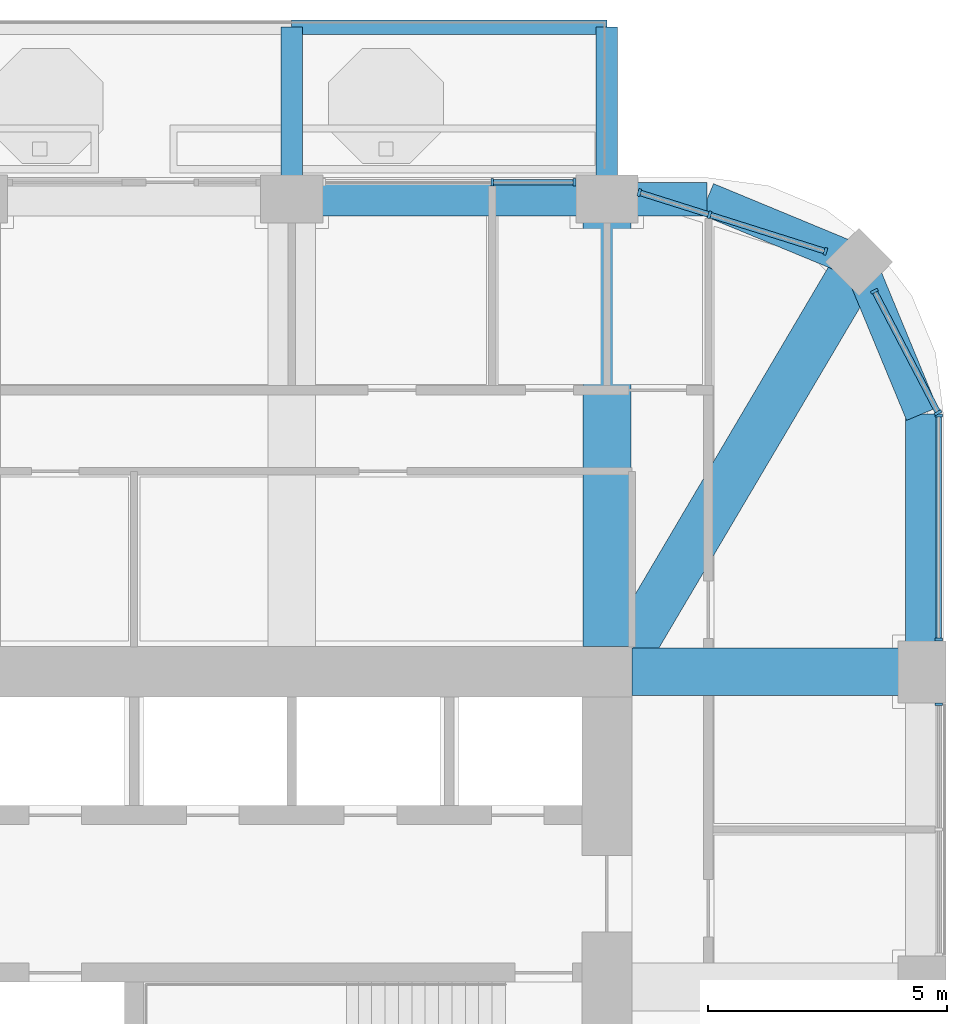
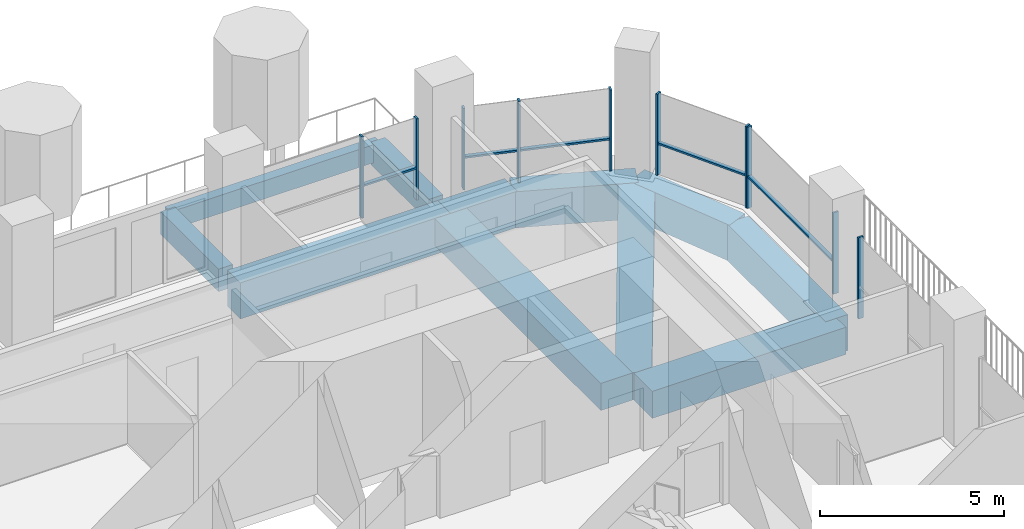
# One storey, part 7 of 21: 15 members, 11 beams, 5 elements without a shape of their own.
"""IFC4 building model written with IfcOpenShell, lengths in metres."""

from ifc_helpers import new_model, si_unit, direction, frame, origin, origin_2d, place, context, subcontext, project, spatial, rectangle, extrude, material, material_profile, profile_set, type_object, element, aggregate, save


model = new_model("IFC4")

# Units and contexts
model_context = context("Model", 3, precision=1e-05, world=origin(), true_north=direction((0.0, 1.0)))
body_context = subcontext(model_context, "Body", "Model", "MODEL_VIEW")
ifc_project = project(units=[si_unit("LENGTHUNIT", "METRE"), si_unit("AREAUNIT", "SQUARE_METRE"), si_unit("VOLUMEUNIT", "CUBIC_METRE"), si_unit("PLANEANGLEUNIT", "RADIAN"), si_unit("MASSUNIT", "GRAM", prefix="KILO")], contexts=[model_context])

# Site, building, storey
site_placement = place(None, origin())
site = spatial("IfcSite", under=ifc_project, at=site_placement, CompositionType="ELEMENT")
building_placement = place(site_placement, origin())
building = spatial("IfcBuilding", under=site, at=building_placement, Name="Cobogo Forest Laboratory Tower", CompositionType="ELEMENT")
storey_placement = place(building_placement, frame((0.0, 0.0, 250.199951171875)))
storey = spatial("IfcBuildingStorey", under=building, at=storey_placement, Name="L57", CompositionType="ELEMENT", Elevation=250.199951171875)

# Beams
ifc_material_1 = material(Name="Concrete HA-40 (C40/50)", Category="concrete")
ifc_material_profile_1 = material_profile(ifc_material_1, rectangle(XDim=0.449951171875, YDim=0.75, at=origin_2d()), Name="RC 450x750")
ifc_profile_set_1 = profile_set([ifc_material_profile_1], Name="Concrete HA-40 (C40/50)")
beam_type_1 = type_object("IfcBeamType", Name="Balcony cantilever beam 450x750", PredefinedType="BEAM", material=ifc_profile_set_1)
for number, where, z_axis, x_axis, name in (
    (1, (33.0, 43.35009765625, -0.625), (0.0, 1.0, 0.0), (-1.0, 0.0, 0.0), "CB1 BAL-N1-C2 L57"),
    (2, (39.60009765625, 43.35009765625, -0.625), (0.0, 1.0, 0.0), (-1.0, 0.0, 0.0), "CB1 BAL-N1-C3 L57"),
):
    element("IfcBeam", number, at=place(storey_placement, frame(where, z_axis=z_axis, x_axis=x_axis)), inside=storey, type_object=beam_type_1, Name=name, PredefinedType="BEAM", context=body_context, shape_type="SweptSolid", body=[
        extrude(rectangle(XDim=0.449951171875, YDim=0.75, at=origin_2d()), origin(), (0.0, 0.0, 1.0), 3.14990234375),
    ])
ifc_material_profile_2 = material_profile(ifc_material_1, rectangle(XDim=0.300048828125, YDim=0.60009765625, at=origin_2d()), Name="RC 300x600")
ifc_profile_set_2 = profile_set([ifc_material_profile_2], Name="Concrete HA-40 (C40/50)")
beam_type_2 = type_object("IfcBeamType", Name="Balcony edge beam 300x600", PredefinedType="BEAM", material=ifc_profile_set_2)
beam_1_placement = place(storey_placement, frame((33.0, 46.5, -0.550048828125), z_axis=(1.0, 0.0, 0.0), x_axis=(0.0, 1.0, 0.0)))
element("IfcBeam", 3, at=beam_1_placement, inside=storey, type_object=beam_type_2, Name="BB1 BAL-N1-T2 L57", PredefinedType="BEAM", context=body_context, shape_type="SweptSolid", body=[
    extrude(rectangle(XDim=0.300048828125, YDim=0.60009765625, at=origin_2d()), origin(), (0.0, 0.0, 1.0), 6.60009765625),
])

# Curtain wall, member
ifc_material_2 = material(Name="Aluminium curtain wall", Category="aluminium")
curtain_wall_type = type_object("IfcCurtainWallType", Name="CW-2 unitised curtain wall, solar control glazing, laboratory floors zones C and D", PredefinedType="USERDEFINED", material=ifc_material_2)
curtain_wall_1_placement = place(storey_placement, origin())
curtain_wall_1 = element("IfcCurtainWall", 4, at=curtain_wall_1_placement, inside=storey, type_object=curtain_wall_type, Name="Curtain wall 10 L57", ObjectType="UNITISED CURTAIN WALL", PredefinedType="USERDEFINED")
ifc_material_3 = material(Name="Aluminium mullion", Category="aluminium")
ifc_material_profile_3 = material_profile(ifc_material_3, rectangle(XDim=0.06005859375, YDim=0.159912109375, at=origin_2d()), Name="AL 60x160")
ifc_profile_set_3 = profile_set([ifc_material_profile_3], Name="Aluminium mullion")
member_type_1 = type_object("IfcMemberType", Name="MU-1 aluminium mullion 60x160", PredefinedType="MULLION", material=ifc_profile_set_3)
member_1_placement = place(storey_placement, frame((46.550048828125, 32.320068359375, 0.0), z_axis=(0.0, 0.0, 1.0), x_axis=(0.0, 1.0, 0.0)))
member_1 = element("IfcMember", 5, at=member_1_placement, type_object=member_type_1, Name="CW-2 mullion 3", PredefinedType="MULLION", context=body_context, shape_type="SweptSolid", body=[
    extrude(rectangle(XDim=0.06005859375, YDim=0.159912109375, at=origin_2d()), origin(), (0.0, 0.0, 1.0), 2.699951171875),
])
aggregate(curtain_wall_1, [member_1])

# Curtain wall, members
curtain_wall_2_placement = place(storey_placement, origin())
curtain_wall_2 = element("IfcCurtainWall", 6, at=curtain_wall_2_placement, inside=storey, type_object=curtain_wall_type, Name="Curtain wall 11 L57", ObjectType="UNITISED CURTAIN WALL", PredefinedType="USERDEFINED")
member_2_placement = place(storey_placement, frame((46.550048828125, 33.679931640625, 0.0), z_axis=(0.0, 0.0, 1.0), x_axis=(0.0, 1.0, 0.0)))
member_2 = element("IfcMember", 7, at=member_2_placement, type_object=member_type_1, Name="CW-2 mullion 1", PredefinedType="MULLION", context=body_context, shape_type="SweptSolid", body=[
    extrude(rectangle(XDim=0.06005859375, YDim=0.159912109375, at=origin_2d()), origin(), (0.0, 0.0, 1.0), 2.699951171875),
])
member_3_placement = place(storey_placement, frame((46.550048828125, 38.3701171875, 0.0), z_axis=(0.0, 0.0, 1.0), x_axis=(0.0, 1.0, 0.0)))
member_3 = element("IfcMember", 8, at=member_3_placement, type_object=member_type_1, Name="CW-2 mullion 2", PredefinedType="MULLION", context=body_context, shape_type="SweptSolid", body=[
    extrude(rectangle(XDim=0.06005859375, YDim=0.159912109375, at=origin_2d()), origin(), (0.0, 0.0, 1.0), 2.699951171875),
])

curtain_wall_3_placement = place(storey_placement, origin())
curtain_wall_3 = element("IfcCurtainWall", 9, at=curtain_wall_3_placement, inside=storey, type_object=curtain_wall_type, Name="Curtain wall 12 L57", ObjectType="UNITISED CURTAIN WALL", PredefinedType="USERDEFINED")
member_4_placement = place(storey_placement, frame((46.5361328125, 38.426513671875, 0.0), z_axis=(0.0, 0.0, 1.0), x_axis=(-0.464283791352, 0.885686491422, 0.0)))
member_4 = element("IfcMember", 10, at=member_4_placement, type_object=member_type_1, Name="CW-2 mullion 1", PredefinedType="MULLION", context=body_context, shape_type="SweptSolid", body=[
    extrude(rectangle(XDim=0.06005859375, YDim=0.159912109375, at=origin_2d()), origin(), (0.0, 0.0, 1.0), 2.699951171875),
])
member_5_placement = place(storey_placement, frame((45.202392578125, 40.970947265625, 0.0), z_axis=(0.0, 0.0, 1.0), x_axis=(-0.464283791352, 0.885686491422, 0.0)))
member_5 = element("IfcMember", 11, at=member_5_placement, type_object=member_type_1, Name="CW-2 mullion 2", PredefinedType="MULLION", context=body_context, shape_type="SweptSolid", body=[
    extrude(rectangle(XDim=0.06005859375, YDim=0.159912109375, at=origin_2d()), origin(), (0.0, 0.0, 1.0), 2.699951171875),
])

curtain_wall_4_placement = place(storey_placement, origin())
curtain_wall_4 = element("IfcCurtainWall", 12, at=curtain_wall_4_placement, inside=storey, type_object=curtain_wall_type, Name="Curtain wall 13 L57", ObjectType="UNITISED CURTAIN WALL", PredefinedType="USERDEFINED")
member_6_placement = place(storey_placement, frame((44.17626953125, 41.804931640625, 0.0), z_axis=(0.0, 0.0, 1.0), x_axis=(-0.953581386052, 0.301135418334, 0.0)))
member_6 = element("IfcMember", 13, at=member_6_placement, type_object=member_type_1, Name="CW-2 mullion 1", PredefinedType="MULLION", context=body_context, shape_type="SweptSolid", body=[
    extrude(rectangle(XDim=0.06005859375, YDim=0.159912109375, at=origin_2d()), origin(), (0.0, 0.0, 1.0), 2.699951171875),
])
member_7_placement = place(storey_placement, frame((41.7490234375, 42.5712890625, 0.0), z_axis=(0.0, 0.0, 1.0), x_axis=(-0.953581386052, 0.301135418334, 0.0)))
member_7 = element("IfcMember", 14, at=member_7_placement, type_object=member_type_1, Name="CW-2 mullion 2", PredefinedType="MULLION", context=body_context, shape_type="SweptSolid", body=[
    extrude(rectangle(XDim=0.06005859375, YDim=0.159912109375, at=origin_2d()), origin(), (0.0, 0.0, 1.0), 2.699951171875),
])
member_8_placement = place(storey_placement, frame((40.278564453125, 43.03564453125, 0.0), z_axis=(0.0, 0.0, 1.0), x_axis=(-0.953581386052, 0.301135418334, 0.0)))
member_8 = element("IfcMember", 15, at=member_8_placement, type_object=member_type_1, Name="CW-2 mullion 3", PredefinedType="MULLION", context=body_context, shape_type="SweptSolid", body=[
    extrude(rectangle(XDim=0.06005859375, YDim=0.159912109375, at=origin_2d()), origin(), (0.0, 0.0, 1.0), 2.699951171875),
])

curtain_wall_5_placement = place(storey_placement, origin())
curtain_wall_5 = element("IfcCurtainWall", 16, at=curtain_wall_5_placement, inside=storey, type_object=curtain_wall_type, Name="Curtain wall 14 L57", ObjectType="UNITISED CURTAIN WALL", PredefinedType="USERDEFINED")
member_9_placement = place(storey_placement, frame((38.919921875, 43.25, 0.0), z_axis=(0.0, 0.0, 1.0), x_axis=(-1.0, 0.0, 0.0)))
member_9 = element("IfcMember", 17, at=member_9_placement, type_object=member_type_1, Name="CW-2 mullion 1", PredefinedType="MULLION", context=body_context, shape_type="SweptSolid", body=[
    extrude(rectangle(XDim=0.06005859375, YDim=0.159912109375, at=origin_2d()), origin(), (0.0, 0.0, 1.0), 2.699951171875),
])
member_10_placement = place(storey_placement, frame((37.199951171875, 43.25, 0.0), z_axis=(0.0, 0.0, 1.0), x_axis=(-1.0, 0.0, 0.0)))
member_10 = element("IfcMember", 18, at=member_10_placement, type_object=member_type_1, Name="CW-2 mullion 2", PredefinedType="MULLION", context=body_context, shape_type="SweptSolid", body=[
    extrude(rectangle(XDim=0.06005859375, YDim=0.159912109375, at=origin_2d()), origin(), (0.0, 0.0, 1.0), 2.699951171875),
])

# Beams
ifc_material_profile_4 = material_profile(ifc_material_1, rectangle(XDim=1.0, YDim=0.89990234375, at=origin_2d()), Name="RC 1000x900")
ifc_profile_set_4 = profile_set([ifc_material_profile_4], Name="Concrete HA-40 (C40/50)")
beam_type_3 = type_object("IfcBeamType", Name="Office floor wide beam 1000x900", PredefinedType="BEAM", material=ifc_profile_set_4)
beam_2_placement = place(storey_placement, frame((39.60009765625, 33.52490234375, -0.75), z_axis=(0.0, 1.0, 0.0), x_axis=(-1.0, 0.0, 0.0)))
element("IfcBeam", 19, at=beam_2_placement, inside=storey, type_object=beam_type_3, Name="RB2 R-7-N L57", PredefinedType="BEAM", context=body_context, shape_type="SweptSolid", body=[
    extrude(rectangle(XDim=1.0, YDim=0.89990234375, at=origin_2d()), origin(), (0.0, 0.0, 1.0), 9.375),
])
beam_3_placement = place(storey_placement, frame((40.125, 33.0, -0.75), z_axis=(1.0, 0.0, 0.0), x_axis=(0.0, 1.0, 0.0)))
element("IfcBeam", 20, at=beam_3_placement, inside=storey, type_object=beam_type_3, Name="RB2 R-F-E L57", PredefinedType="BEAM", context=body_context, shape_type="SweptSolid", body=[
    extrude(rectangle(XDim=1.0, YDim=0.89990234375, at=origin_2d()), origin(), (0.0, 0.0, 1.0), 6.074951171875),
])
beam_4_placement = place(storey_placement, frame((44.882080078125, 41.58203125, -0.75), z_axis=(-0.508416325908, -0.861111397875, 0.0), x_axis=(0.861111397875, -0.508416325908, 0.0)))
element("IfcBeam", 21, at=beam_4_placement, inside=storey, type_object=beam_type_3, Name="RB2 G-NE-D1 L57", PredefinedType="BEAM", context=body_context, shape_type="SweptSolid", body=[
    extrude(rectangle(XDim=1.0, YDim=0.89990234375, at=origin_2d()), origin(), (0.0, 0.0, 1.0), 9.356689453125),
])
ifc_material_profile_5 = material_profile(ifc_material_1, rectangle(XDim=0.699951171875, YDim=1.199951171875, at=origin_2d()), Name="RC 700x1200")
ifc_profile_set_5 = profile_set([ifc_material_profile_5], Name="Concrete HA-40 (C40/50)")
beam_type_4 = type_object("IfcBeamType", Name="Perimeter edge beam 700x1200", PredefinedType="BEAM", material=ifc_profile_set_5)
beam_5_placement = place(storey_placement, frame((33.0, 42.89990234375, -0.89990234375), z_axis=(1.0, 0.0, 0.0), x_axis=(0.0, 1.0, 0.0)))
element("IfcBeam", 22, at=beam_5_placement, inside=storey, type_object=beam_type_4, Name="EB1 E-N4 L57", PredefinedType="BEAM", context=body_context, shape_type="SweptSolid", body=[
    extrude(rectangle(XDim=0.699951171875, YDim=1.199951171875, at=origin_2d()), origin(), (0.0, 0.0, 1.0), 6.60009765625),
])
beam_6_placement = place(storey_placement, frame((46.199951171875, 33.0, -0.89990234375), z_axis=(0.0, 1.0, 0.0), x_axis=(-1.0, 0.0, 0.0)))
element("IfcBeam", 23, at=beam_6_placement, inside=storey, type_object=beam_type_4, Name="EB1 E-NEE1 L57", PredefinedType="BEAM", context=body_context, shape_type="SweptSolid", body=[
    extrude(rectangle(XDim=0.699951171875, YDim=1.199951171875, at=origin_2d()), origin(), (0.0, 0.0, 1.0), 5.39990234375),
])
beam_7_placement = place(storey_placement, frame((46.199951171875, 38.39990234375, -0.89990234375), z_axis=(-0.382631424892, 0.923901072997, 0.0), x_axis=(-0.923901072997, -0.382631424892, 0.0)))
element("IfcBeam", 24, at=beam_7_placement, inside=storey, type_object=beam_type_4, Name="EB1 E-NEE2 L57", PredefinedType="BEAM", context=body_context, shape_type="SweptSolid", body=[
    extrude(rectangle(XDim=0.699951171875, YDim=1.199951171875, at=origin_2d()), origin(), (0.0, 0.0, 1.0), 3.4443359375),
])
beam_8_placement = place(storey_placement, frame((39.60009765625, 42.89990234375, -0.89990234375), z_axis=(1.0, 0.0, 0.0), x_axis=(0.0, 1.0, 0.0)))
element("IfcBeam", 25, at=beam_8_placement, inside=storey, type_object=beam_type_4, Name="EB1 E-NEN1 L57", PredefinedType="BEAM", context=body_context, shape_type="SweptSolid", body=[
    extrude(rectangle(XDim=0.699951171875, YDim=1.199951171875, at=origin_2d()), origin(), (0.0, 0.0, 1.0), 2.099853515625),
])
beam_9_placement = place(storey_placement, frame((41.699951171875, 42.89990234375, -0.89990234375), z_axis=(0.923901072997, -0.382631424892, 0.0), x_axis=(0.382631424892, 0.923901072997, 0.0)))
element("IfcBeam", 26, at=beam_9_placement, inside=storey, type_object=beam_type_4, Name="EB1 E-NEN2 L57", PredefinedType="BEAM", context=body_context, shape_type="SweptSolid", body=[
    extrude(rectangle(XDim=0.699951171875, YDim=1.199951171875, at=origin_2d()), origin(), (0.0, 0.0, 1.0), 3.4443359375),
])

# Member
ifc_material_4 = material(Name="Aluminium transom", Category="aluminium")
ifc_material_profile_6 = material_profile(ifc_material_4, rectangle(XDim=0.1201171875, YDim=0.06005859375, at=origin_2d()), Name="AL 60x120")
ifc_profile_set_6 = profile_set([ifc_material_profile_6], Name="Aluminium transom")
member_type_2 = type_object("IfcMemberType", Name="TR-1 aluminium transom 60x120", PredefinedType="USERDEFINED", material=ifc_profile_set_6)
member_11_placement = place(storey_placement, frame((46.550048828125, 33.7099609375, 1.050048828125), z_axis=(0.0, 1.0, 0.0), x_axis=(-1.0, 0.0, 0.0)))
member_11 = element("IfcMember", 27, at=member_11_placement, type_object=member_type_2, Name="CW-2 transom 1.1", ObjectType="TRANSOM", PredefinedType="USERDEFINED", context=body_context, shape_type="SweptSolid", body=[
    extrude(rectangle(XDim=0.1201171875, YDim=0.06005859375, at=origin_2d()), origin(), (0.0, 0.0, 1.0), 4.630126953125),
])

aggregate(curtain_wall_2, [member_2, member_3, member_11])

member_12_placement = place(storey_placement, frame((46.522216796875, 38.453125, 1.050048828125), z_axis=(-0.464282656331, 0.885687086408, 0.0), x_axis=(-0.885687086408, -0.464282656331, 0.0)))
member_12 = element("IfcMember", 28, at=member_12_placement, type_object=member_type_2, Name="CW-2 transom 1.1", ObjectType="TRANSOM", PredefinedType="USERDEFINED", context=body_context, shape_type="SweptSolid", body=[
    extrude(rectangle(XDim=0.1201171875, YDim=0.06005859375, at=origin_2d()), origin(), (0.0, 0.0, 1.0), 2.812744140625),
])

aggregate(curtain_wall_3, [member_4, member_5, member_12])

member_13_placement = place(storey_placement, frame((44.147705078125, 41.81396484375, 1.050048828125), z_axis=(-0.953601962472, 0.301070252882, 0.0), x_axis=(-0.301070252882, -0.953601962472, 0.0)))
member_13 = element("IfcMember", 29, at=member_13_placement, type_object=member_type_2, Name="CW-2 transom 1.1", ObjectType="TRANSOM", PredefinedType="USERDEFINED", context=body_context, shape_type="SweptSolid", body=[
    extrude(rectangle(XDim=0.1201171875, YDim=0.06005859375, at=origin_2d()), origin(), (0.0, 0.0, 1.0), 2.4853515625),
])

member_14_placement = place(storey_placement, frame((41.720458984375, 42.580322265625, 1.050048828125), z_axis=(-0.953587644069, 0.301115600856, 0.0), x_axis=(-0.301115600856, -0.953587644069, 0.0)))
member_14 = element("IfcMember", 30, at=member_14_placement, type_object=member_type_2, Name="CW-2 transom 2.1", ObjectType="TRANSOM", PredefinedType="USERDEFINED", context=body_context, shape_type="SweptSolid", body=[
    extrude(rectangle(XDim=0.1201171875, YDim=0.06005859375, at=origin_2d()), origin(), (0.0, 0.0, 1.0), 1.482177734375),
])

aggregate(curtain_wall_4, [member_6, member_7, member_8, member_13, member_14])

member_15_placement = place(storey_placement, frame((38.889892578125, 43.25, 1.050048828125), z_axis=(-1.0, 0.0, 0.0), x_axis=(0.0, -1.0, 0.0)))
member_15 = element("IfcMember", 31, at=member_15_placement, type_object=member_type_2, Name="CW-2 transom 1.1", ObjectType="TRANSOM", PredefinedType="USERDEFINED", context=body_context, shape_type="SweptSolid", body=[
    extrude(rectangle(XDim=0.1201171875, YDim=0.06005859375, at=origin_2d()), origin(), (0.0, 0.0, 1.0), 1.659912109375),
])

aggregate(curtain_wall_5, [member_9, member_10, member_15])

save(model, "model.ifc")
